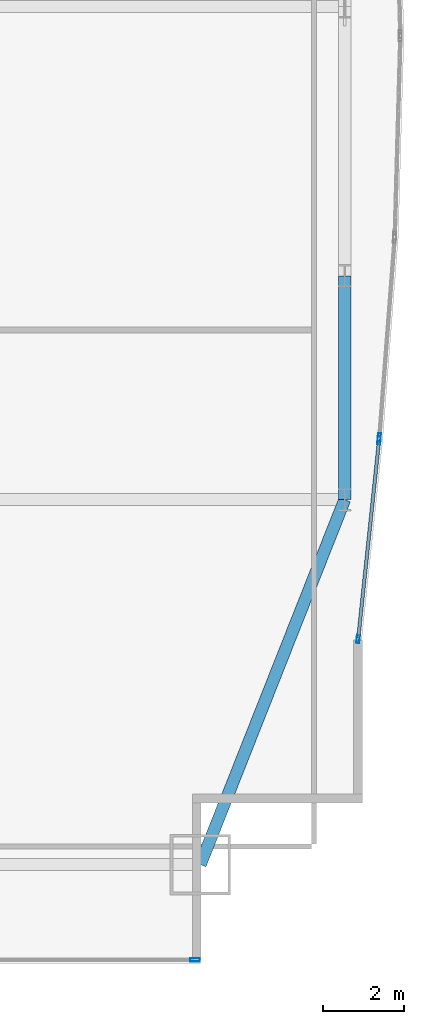
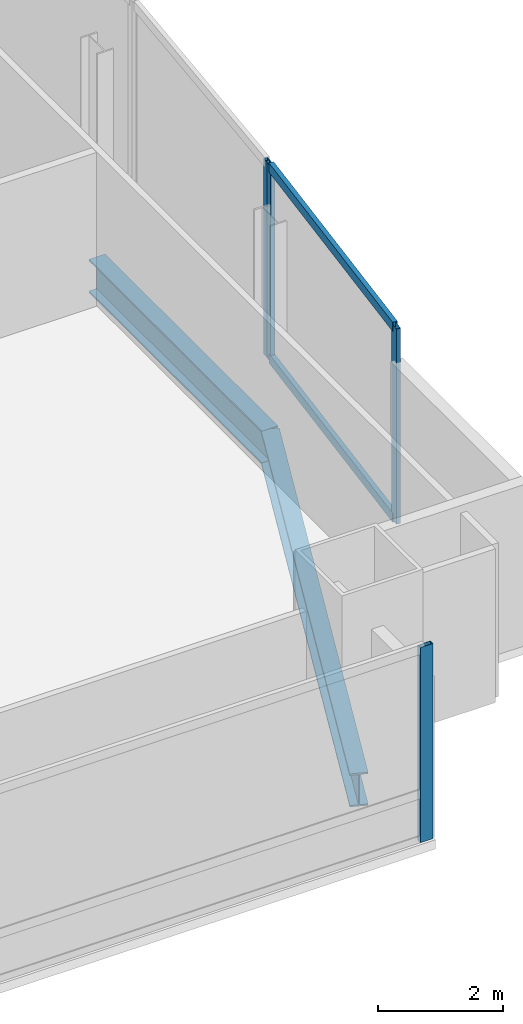
# One storey, part 21 of 30: 6 members, 2 beams, 3 elements without a shape of their own.
"""IFC4 building model written with IfcOpenShell, lengths in metres."""

from ifc_helpers import new_model, si_unit, direction, frame, origin, origin_2d, place, context, subcontext, project, spatial, hollow_rectangle, i_section, extrude, material, material_profile, profile_set, type_object, element, aggregate, save


model = new_model("IFC4")

# Units and contexts
model_context = context("Model", 3, precision=1e-05, world=origin(), true_north=direction((0.0, 1.0)))
body_context = subcontext(model_context, "Body", "Model", "MODEL_VIEW")
ifc_project = project(units=[si_unit("LENGTHUNIT", "METRE"), si_unit("AREAUNIT", "SQUARE_METRE"), si_unit("VOLUMEUNIT", "CUBIC_METRE"), si_unit("PLANEANGLEUNIT", "RADIAN"), si_unit("MASSUNIT", "GRAM", prefix="KILO")], contexts=[model_context])

# Site, building, storey
site_placement = place(None, origin())
site = spatial("IfcSite", under=ifc_project, at=site_placement, CompositionType="ELEMENT")
building_placement = place(site_placement, origin())
building = spatial("IfcBuilding", under=site, at=building_placement, Name="Khoronbel Lancet Exchange", CompositionType="ELEMENT")
storey_placement = place(building_placement, frame((0.0, 0.0, 90.60009765625)))
storey = spatial("IfcBuildingStorey", under=building, at=storey_placement, Name="L21", CompositionType="ELEMENT", Elevation=90.60009765625)

# Beams
ifc_material_1 = material(Name="Steel S355", Category="steel")
ifc_material_profile_1 = material_profile(ifc_material_1, i_section(OverallWidth=0.300048828125, OverallDepth=0.64990234375, WebThickness=0.01611328125, FlangeThickness=0.031005859375, at=origin_2d()), Name="HEB 650")
ifc_profile_set_1 = profile_set([ifc_material_profile_1], Name="Steel S355")
beam_type = type_object("IfcBeamType", Name="BM-BSP1", PredefinedType="SPANDREL", material=ifc_profile_set_1)
beam_1_placement = place(storey_placement, frame((66.050048828125, 10.14990234375, -0.505126953125), z_axis=(0.367828403855, 0.929893684954, 0.0), x_axis=(-0.929893684954, 0.367828403855, 0.0)))
element("IfcBeam", 1, at=beam_1_placement, inside=storey, type_object=beam_type, Name="Level L21 perimeter spandrel beam SP10", PredefinedType="SPANDREL", context=body_context, shape_type="SweptSolid", body=[
    extrude(i_section(OverallWidth=0.300048828125, OverallDepth=0.64990234375, WebThickness=0.01611328125, FlangeThickness=0.031005859375, at=origin_2d()), origin(), (0.0, 0.0, 1.0), 9.732421875),
])
beam_2_placement = place(storey_placement, frame((69.6298828125, 19.199951171875, -0.505126953125), z_axis=(0.0, 1.0, 0.0), x_axis=(-1.0, 0.0, 0.0)))
element("IfcBeam", 2, at=beam_2_placement, inside=storey, type_object=beam_type, Name="Level L21 perimeter spandrel beam SP11", PredefinedType="SPANDREL", context=body_context, shape_type="SweptSolid", body=[
    extrude(i_section(OverallWidth=0.300048828125, OverallDepth=0.64990234375, WebThickness=0.01611328125, FlangeThickness=0.031005859375, at=origin_2d()), origin(), (0.0, 0.0, 1.0), 5.550048828125),
])

# Curtain wall, member
ifc_material_2 = material(Name="Low-E Solar Control Insulating Glass", Category="glass")
curtain_wall_type_1 = type_object("IfcCurtainWallType", Name="CW-2", PredefinedType="NOTDEFINED", material=ifc_material_2)
curtain_wall_1_placement = place(storey_placement, origin())
curtain_wall_1 = element("IfcCurtainWall", 3, at=curtain_wall_1_placement, inside=storey, type_object=curtain_wall_type_1, Name="Unitised curtain wall CW-L21-SEV", PredefinedType="NOTDEFINED")
ifc_material_3 = material(Name="Bronze-Anodised Aluminium 6063-T6", Category="aluminium")
ifc_material_profile_2 = material_profile(ifc_material_3, hollow_rectangle(XDim=0.0849609375, YDim=0.239990234375, WallThickness=0.006103515625, at=origin_2d()), Name="ALU MULLION 85x240")
ifc_profile_set_2 = profile_set([ifc_material_profile_2], Name="Bronze-Anodised Aluminium 6063-T6")
member_type_1 = type_object("IfcMemberType", Name="MEM-CWM1", PredefinedType="MULLION", material=ifc_profile_set_2)
member_1_placement = place(storey_placement, frame((65.91748046875, 7.7900390625, 0.0), z_axis=(0.0, 0.0, 1.0), x_axis=(0.0, 1.0, 0.0)))
member_1 = element("IfcMember", 4, at=member_1_placement, type_object=member_type_1, Name="CW2 mullion 2", PredefinedType="MULLION", context=body_context, shape_type="SweptSolid", body=[
    extrude(hollow_rectangle(XDim=0.0849609375, YDim=0.239990234375, WallThickness=0.006103515625, at=origin_2d()), origin(), (0.0, 0.0, 1.0), 3.81982421875),
])
aggregate(curtain_wall_1, [member_1])

curtain_wall_type_2 = type_object("IfcCurtainWallType", Name="CW-4", PredefinedType="NOTDEFINED", material=ifc_material_2)
curtain_wall_2_placement = place(storey_placement, origin())
curtain_wall_2 = element("IfcCurtainWall", 5, at=curtain_wall_2_placement, inside=storey, type_object=curtain_wall_type_2, Name="Unitised curtain wall CW-L21-E21", PredefinedType="NOTDEFINED")
ifc_material_profile_3 = material_profile(ifc_material_3, hollow_rectangle(XDim=0.074951171875, YDim=0.199951171875, WallThickness=0.0048828125, at=origin_2d()), Name="ALU MULLION 75x200")
ifc_profile_set_3 = profile_set([ifc_material_profile_3], Name="Bronze-Anodised Aluminium 6063-T6")
member_type_2 = type_object("IfcMemberType", Name="MEM-CWM2", PredefinedType="MULLION", material=ifc_profile_set_3)
member_2_placement = place(storey_placement, frame((70.48828125, 20.74560546875, 0.0), z_axis=(0.0, 0.0, 1.0), x_axis=(0.997059882555, -0.076626304874, 0.0)))
member_2 = element("IfcMember", 6, at=member_2_placement, type_object=member_type_2, Name="CW4 mullion 2", PredefinedType="MULLION", context=body_context, shape_type="SweptSolid", body=[
    extrude(hollow_rectangle(XDim=0.074951171875, YDim=0.199951171875, WallThickness=0.0048828125, at=origin_2d()), origin(), (0.0, 0.0, 1.0), 3.81982421875),
])
aggregate(curtain_wall_2, [member_2])

# Curtain wall, members
curtain_wall_3_placement = place(storey_placement, origin())
curtain_wall_3 = element("IfcCurtainWall", 7, at=curtain_wall_3_placement, inside=storey, type_object=curtain_wall_type_2, Name="Unitised curtain wall CW-L21-E22", PredefinedType="NOTDEFINED")
member_3_placement = place(storey_placement, frame((70.4814453125, 20.6708984375, 0.0), z_axis=(0.0, 0.0, 1.0), x_axis=(0.994531779003, -0.104434383958, 0.0)))
member_3 = element("IfcMember", 8, at=member_3_placement, type_object=member_type_2, Name="CW4 mullion 1", PredefinedType="MULLION", context=body_context, shape_type="SweptSolid", body=[
    extrude(hollow_rectangle(XDim=0.074951171875, YDim=0.199951171875, WallThickness=0.0048828125, at=origin_2d()), origin(), (0.0, 0.0, 1.0), 3.81982421875),
])
member_4_placement = place(storey_placement, frame((69.9638671875, 15.741943359375, 0.0), z_axis=(0.0, 0.0, 1.0), x_axis=(0.994531779003, -0.104434383958, 0.0)))
member_4 = element("IfcMember", 9, at=member_4_placement, type_object=member_type_2, Name="CW4 mullion 2", PredefinedType="MULLION", context=body_context, shape_type="SweptSolid", body=[
    extrude(hollow_rectangle(XDim=0.074951171875, YDim=0.199951171875, WallThickness=0.0048828125, at=origin_2d()), origin(), (0.0, 0.0, 1.0), 3.81982421875),
])
ifc_material_profile_4 = material_profile(ifc_material_3, hollow_rectangle(XDim=0.0849609375, YDim=0.179931640625, WallThickness=0.0048828125, at=origin_2d()), Name="ALU TRANSOM 85x180")
ifc_profile_set_4 = profile_set([ifc_material_profile_4], Name="Bronze-Anodised Aluminium 6063-T6")
member_type_3 = type_object("IfcMemberType", Name="MEM-CWT1", PredefinedType="USERDEFINED", material=ifc_profile_set_4)
member_5_placement = place(storey_placement, frame((70.4775390625, 20.633544921875, 0.04248046875), z_axis=(-0.104440030005, -0.994531186104, 0.0), x_axis=(0.994531186104, -0.104440030005, 0.0)))
member_5 = element("IfcMember", 10, at=member_5_placement, type_object=member_type_3, Name="CW4 transom 1.1", ObjectType="TRANSOM", PredefinedType="USERDEFINED", context=body_context, shape_type="SweptSolid", body=[
    extrude(hollow_rectangle(XDim=0.0849609375, YDim=0.179931640625, WallThickness=0.0048828125, at=origin_2d()), origin(), (0.0, 0.0, 1.0), 4.880859375),
])
member_6_placement = place(storey_placement, frame((70.4775390625, 20.633544921875, 3.77734375), z_axis=(-0.104440030005, -0.994531186104, 0.0), x_axis=(0.994531186104, -0.104440030005, 0.0)))
member_6 = element("IfcMember", 11, at=member_6_placement, type_object=member_type_3, Name="CW4 transom 1.2", ObjectType="TRANSOM", PredefinedType="USERDEFINED", context=body_context, shape_type="SweptSolid", body=[
    extrude(hollow_rectangle(XDim=0.0849609375, YDim=0.179931640625, WallThickness=0.0048828125, at=origin_2d()), origin(), (0.0, 0.0, 1.0), 4.880859375),
])
aggregate(curtain_wall_3, [member_3, member_4, member_5, member_6])

save(model, "model.ifc")
